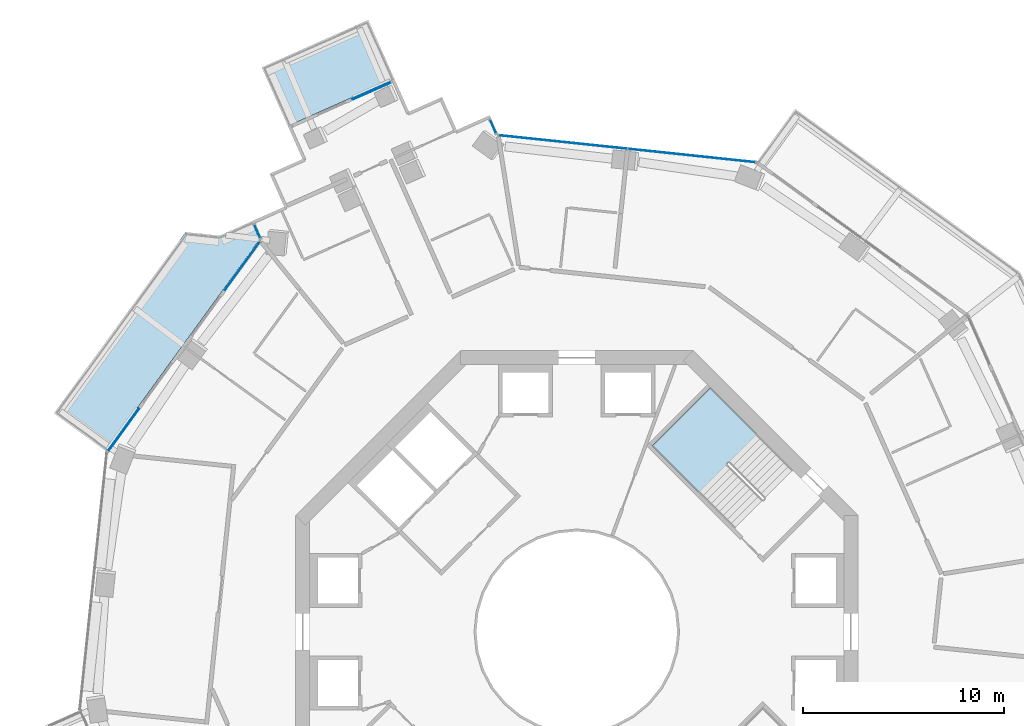
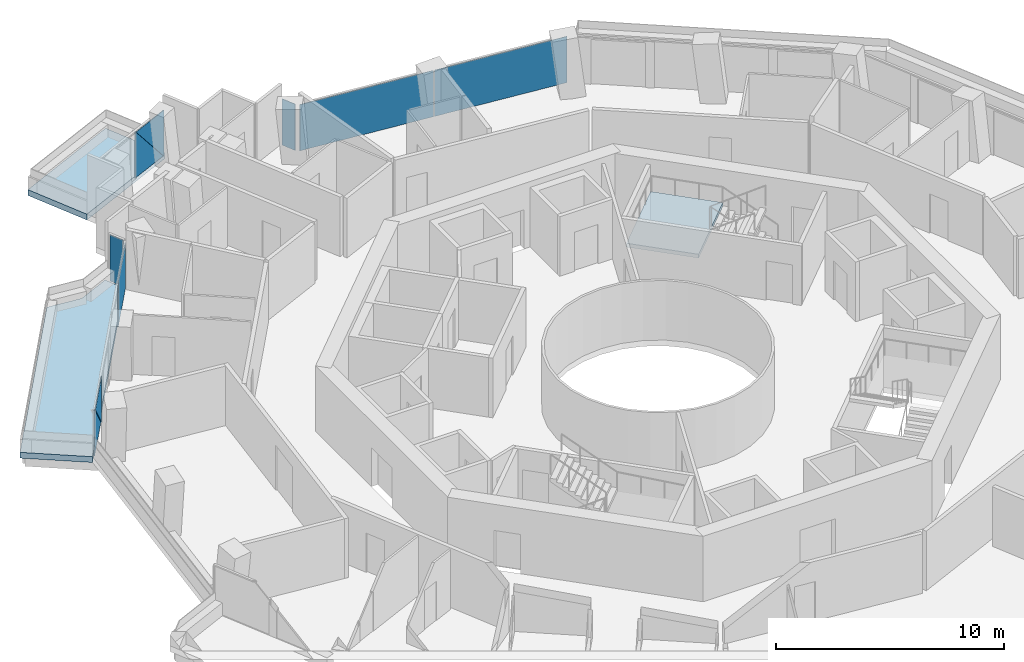
# One storey, part 14 of 23: 9 plates, 3 slabs, 6 elements without a shape of their own.
"""IFC4 building model written with IfcOpenShell, lengths in metres."""

from ifc_helpers import new_model, si_unit, direction, frame, origin, origin_2d, place, context, subcontext, project, spatial, polyline, rectangle, outline, extrude, material, layer, layer_set, type_object, element, aggregate, save


model = new_model("IFC4")

# Units and contexts
model_context = context("Model", 3, precision=1e-05, world=origin(), true_north=direction((0.0, 1.0)))
body_context = subcontext(model_context, "Body", "Model", "MODEL_VIEW")
ifc_project = project(units=[si_unit("LENGTHUNIT", "METRE"), si_unit("AREAUNIT", "SQUARE_METRE"), si_unit("VOLUMEUNIT", "CUBIC_METRE"), si_unit("PLANEANGLEUNIT", "RADIAN"), si_unit("MASSUNIT", "GRAM", prefix="KILO")], contexts=[model_context])

# Site, building, storey
site_placement = place(None, origin())
site = spatial("IfcSite", under=ifc_project, at=site_placement, CompositionType="ELEMENT")
building_placement = place(site_placement, origin())
building = spatial("IfcBuilding", under=site, at=building_placement, Name="Verdalira Terraces Hotel", CompositionType="ELEMENT")
storey_placement = place(building_placement, frame((0.0, 0.0, 133.0)))
storey = spatial("IfcBuildingStorey", under=building, at=storey_placement, Name="L31", CompositionType="ELEMENT", Elevation=133.0)

# Slabs
ifc_material_1 = material(Name="Precast concrete C40/50", Category="concrete")
ifc_layer_1 = layer(ifc_material_1, 0.31005859375)
ifc_layer_set_1 = layer_set([ifc_layer_1], Name="Balcony deck 310")
slab_type_1 = type_object("IfcSlabType", Name="Balcony deck 310", PredefinedType="FLOOR", material=ifc_layer_set_1)
slab_1_placement = place(storey_placement, frame((0.0, 0.0, -0.310059)))
element("IfcSlab", 1, at=slab_1_placement, inside=storey, type_object=slab_type_1, Name="Balcony deck", PredefinedType="FLOOR", context=body_context, shape_type="SweptSolid", body=[
    extrude(outline(polyline([(-15.688477, 28.107178), (-14.386963, 25.183838), (-9.088379, 27.542969), (-10.390137, 30.466309), (-15.688477, 28.107178)])), origin(), (0.0, 0.0, 1.0), 0.310059),
])
slab_2_placement = place(storey_placement, frame((0.0, 0.0, -0.310059)))
element("IfcSlab", 2, at=slab_2_placement, inside=storey, type_object=slab_type_1, Name="Balcony deck", PredefinedType="FLOOR", context=body_context, shape_type="SweptSolid", body=[
    extrude(outline(polyline([(-19.479492, 19.903564), (-26.034912, 10.881104), (-23.446045, 9.0), (-15.804688, 19.517334), (-16.211426, 20.430908), (-17.793945, 19.726318), (-19.479492, 19.903564)])), origin(), (0.0, 0.0, 1.0), 0.310059),
])

# Curtain wall, plates
ifc_material_2 = material(Name="Clear glass", Category="glass")
ifc_layer_2 = layer(ifc_material_2, 0.14990234375)
ifc_layer_set_2 = layer_set([ifc_layer_2], Name="CW1 curtain wall")
curtain_wall_type_1 = type_object("IfcCurtainWallType", Name="CW1 curtain wall", PredefinedType="NOTDEFINED", material=ifc_layer_set_2)
curtain_wall_1_placement = place(storey_placement, origin())
curtain_wall_1 = element("IfcCurtainWall", 3, at=curtain_wall_1_placement, inside=storey, type_object=curtain_wall_type_1, Name="CW1 curtain wall L31 edge 11", PredefinedType="NOTDEFINED")
ifc_material_3 = material(Name="Clear glass", Category="glass")
ifc_layer_3 = layer(ifc_material_3, 0.028076171875)
ifc_layer_set_3 = layer_set([ifc_layer_3], Name="CW1 glass unit 28")
plate_type_1 = type_object("IfcPlateType", Name="CW1 glass unit 28", PredefinedType="CURTAIN_PANEL", material=ifc_layer_set_3)
plate_1_placement = place(storey_placement, frame((-16.650879, 18.225342, 0.0), z_axis=(0.0, 0.0, 1.0), x_axis=(-0.587785252, -0.809016994, 0.0)))
plate_1 = element("IfcPlate", 4, at=plate_1_placement, type_object=plate_type_1, Name="CW1 glass unit", PredefinedType="CURTAIN_PANEL", context=body_context, shape_type="SweptSolid", body=[
    extrude(rectangle(XDim=2.965088, YDim=0.028076, at=origin_2d()), origin(), (0.0, 0.0, 1.0), 2.475098),
])
plate_2_placement = place(storey_placement, frame((-22.573242, 10.049805, 1.237549), z_axis=(-0.809016994, 0.587785252, 0.0), x_axis=(-0.587785252, -0.809016994, 0.0)))
plate_2 = element("IfcPlate", 5, at=plate_2_placement, type_object=plate_type_1, Name="CW1 glass unit", PredefinedType="CURTAIN_PANEL", context=body_context, shape_type="SweptSolid", body=[
    extrude(outline(polyline([(-1.302246, -1.237549), (1.302246, -1.237549), (1.302246, 1.237549), (-1.302246, -1.237549)])), origin(), (0.0, 0.0, 1.0), 0.028076),
])
plate_3_placement = place(storey_placement, frame((-22.549805, 10.032715, 1.237549), z_axis=(-0.809016994, 0.587785252, 0.0), x_axis=(-0.587785252, -0.809016994, 0.0)))
plate_3 = element("IfcPlate", 6, at=plate_3_placement, type_object=plate_type_1, Name="CW1 glass unit", PredefinedType="CURTAIN_PANEL", context=body_context, shape_type="SweptSolid", body=[
    extrude(outline(polyline([(-1.302246, -1.237549), (1.302246, 1.237549), (-1.302246, 1.237549), (-1.302246, -1.237549)])), origin(), (0.0, 0.0, 1.0), 0.028076),
])
aggregate(curtain_wall_1, [plate_1, plate_2, plate_3])

curtain_wall_2_placement = place(storey_placement, origin())
curtain_wall_2 = element("IfcCurtainWall", 7, at=curtain_wall_2_placement, inside=storey, type_object=curtain_wall_type_1, Name="CW1 curtain wall L31 edge 41", PredefinedType="NOTDEFINED")
plate_4_placement = place(storey_placement, frame((5.725098, 23.714844, 0.0), z_axis=(0.0, 0.0, 1.0), x_axis=(-0.994521895, 0.104528463, 0.0)))
plate_4 = element("IfcPlate", 8, at=plate_4_placement, type_object=plate_type_1, Name="CW1 glass unit", PredefinedType="CURTAIN_PANEL", context=body_context, shape_type="SweptSolid", body=[
    extrude(rectangle(XDim=6.369873, YDim=0.028076, at=origin_2d()), origin(), (0.0, 0.0, 1.0), 2.475098),
])
plate_5_placement = place(storey_placement, frame((-0.689453, 24.388916, 0.0), z_axis=(0.0, 0.0, 1.0), x_axis=(-0.994521895, 0.104528463, 0.0)))
plate_5 = element("IfcPlate", 9, at=plate_5_placement, type_object=plate_type_1, Name="CW1 glass unit", PredefinedType="CURTAIN_PANEL", context=body_context, shape_type="SweptSolid", body=[
    extrude(rectangle(XDim=6.409912, YDim=0.028076, at=origin_2d()), origin(), (0.0, 0.0, 1.0), 2.475098),
])
aggregate(curtain_wall_2, [plate_4, plate_5])

# Curtain wall, plate
ifc_material_4 = material(Name="Clear glass", Category="glass")
ifc_layer_4 = layer(ifc_material_4, 0.14990234375)
ifc_layer_set_4 = layer_set([ifc_layer_4], Name="CW2 curtain wall")
curtain_wall_type_2 = type_object("IfcCurtainWallType", Name="CW2 curtain wall", PredefinedType="NOTDEFINED", material=ifc_layer_set_4)
curtain_wall_3_placement = place(storey_placement, origin())
curtain_wall_3 = element("IfcCurtainWall", 10, at=curtain_wall_3_placement, inside=storey, type_object=curtain_wall_type_2, Name="CW2 curtain wall L31 edge 0", PredefinedType="NOTDEFINED")
ifc_material_5 = material(Name="Clear glass", Category="glass")
ifc_layer_5 = layer(ifc_material_5, 0.031982421875)
ifc_layer_set_5 = layer_set([ifc_layer_5], Name="CW2 glass unit 32")
plate_type_2 = type_object("IfcPlateType", Name="CW2 glass unit 32", PredefinedType="CURTAIN_PANEL", material=ifc_layer_set_5)
plate_6_placement = place(storey_placement, frame((-4.170166, 25.162598, 0.0), z_axis=(0.0, 0.0, 1.0), x_axis=(-0.406736643, 0.913545458, 0.0)))
plate_6 = element("IfcPlate", 11, at=plate_6_placement, type_object=plate_type_2, Name="CW2 glass unit", PredefinedType="CURTAIN_PANEL", context=body_context, shape_type="SweptSolid", body=[
    extrude(rectangle(XDim=0.709961, YDim=0.031982, at=origin_2d()), origin(), (0.0, 0.0, 1.0), 2.475098),
])
aggregate(curtain_wall_3, [plate_6])

curtain_wall_4_placement = place(storey_placement, origin())
curtain_wall_4 = element("IfcCurtainWall", 12, at=curtain_wall_4_placement, inside=storey, type_object=curtain_wall_type_2, Name="CW2 curtain wall L31 edge 10", PredefinedType="NOTDEFINED")
plate_7_placement = place(storey_placement, frame((-15.90918, 19.936035, 0.0), z_axis=(0.0, 0.0, 1.0), x_axis=(0.406736643, -0.913545458, 0.0)))
plate_7 = element("IfcPlate", 13, at=plate_7_placement, type_object=plate_type_2, Name="CW2 glass unit", PredefinedType="CURTAIN_PANEL", context=body_context, shape_type="SweptSolid", body=[
    extrude(rectangle(XDim=0.709961, YDim=0.031982, at=origin_2d()), origin(), (0.0, 0.0, 1.0), 2.475098),
])
aggregate(curtain_wall_4, [plate_7])

# Curtain wall, plates
ifc_material_6 = material(Name="Clear glass", Category="glass")
ifc_layer_6 = layer(ifc_material_6, 0.14990234375)
ifc_layer_set_6 = layer_set([ifc_layer_6], Name="CW3 curtain wall")
curtain_wall_type_3 = type_object("IfcCurtainWallType", Name="CW3 curtain wall", PredefinedType="NOTDEFINED", material=ifc_layer_set_6)
curtain_wall_5_placement = place(storey_placement, origin())
curtain_wall_5 = element("IfcCurtainWall", 14, at=curtain_wall_5_placement, inside=storey, type_object=curtain_wall_type_3, Name="CW3 curtain wall L31 edge 5", PredefinedType="NOTDEFINED")
ifc_material_7 = material(Name="Clear glass", Category="glass")
ifc_layer_7 = layer(ifc_material_7, 0.035888671875)
ifc_layer_set_7 = layer_set([ifc_layer_7], Name="CW3 glass unit 36")
plate_type_3 = type_object("IfcPlateType", Name="CW3 glass unit 36", PredefinedType="CURTAIN_PANEL", material=ifc_layer_set_7)
plate_8_placement = place(storey_placement, frame((-10.210938, 26.941406, 1.237549), z_axis=(-0.406736643, 0.913545458, 0.0), x_axis=(-0.913545458, -0.406736643, 0.0)))
plate_8 = element("IfcPlate", 15, at=plate_8_placement, type_object=plate_type_3, Name="CW3 glass unit", PredefinedType="CURTAIN_PANEL", context=body_context, shape_type="SweptSolid", body=[
    extrude(outline(polyline([(-1.040039, -1.237549), (1.040039, -1.237549), (1.040039, 1.237549), (-1.040039, -1.237549)])), origin(), (0.0, 0.0, 1.0), 0.035889),
])
plate_9_placement = place(storey_placement, frame((-10.195801, 26.907471, 1.237549), z_axis=(-0.406736643, 0.913545458, 0.0), x_axis=(-0.913545458, -0.406736643, 0.0)))
plate_9 = element("IfcPlate", 16, at=plate_9_placement, type_object=plate_type_3, Name="CW3 glass unit", PredefinedType="CURTAIN_PANEL", context=body_context, shape_type="SweptSolid", body=[
    extrude(outline(polyline([(-1.040039, -1.237549), (1.040039, 1.237549), (-1.040039, 1.237549), (-1.040039, -1.237549)])), origin(), (0.0, 0.0, 1.0), 0.035889),
])
aggregate(curtain_wall_5, [plate_8, plate_9])

# Stair, slab
ifc_material_8 = material(Name="Concrete C40", Category="concrete")
stair_type = type_object("IfcStairType", Name="Core stair 20 risers 2000 mm wide", PredefinedType="HALF_TURN_STAIR", material=ifc_material_8)
stair_placement = place(storey_placement, origin())
stair = element("IfcStair", 17, at=stair_placement, inside=storey, type_object=stair_type, Name="L31 Exit stair ST1", PredefinedType="HALF_TURN_STAIR")
ifc_material_9 = material(Name="Concrete C40", Category="concrete")
ifc_layer_8 = layer(ifc_material_9, 0.199951171875)
ifc_layer_set_8 = layer_set([ifc_layer_8], Name="Core stair landing 200 mm")
slab_type_2 = type_object("IfcSlabType", Name="Core stair landing 200 mm", PredefinedType="LANDING", material=ifc_layer_set_8)
slab_3_placement = place(storey_placement, frame((0.0, 0.0, 1.550049)))
slab_3 = element("IfcSlab", 18, at=slab_3_placement, type_object=slab_type_2, Name="ST1 landing 1", PredefinedType="LANDING", context=body_context, shape_type="SweptSolid", body=[
    extrude(outline(polyline([(8.966553, 9.842529), (6.646729, 12.162354), (3.747559, 9.263184), (6.067383, 6.943359), (8.966553, 9.842529)])), origin(), (0.0, 0.0, 1.0), 0.199951),
])
aggregate(stair, [slab_3])

save(model, "model.ifc")
